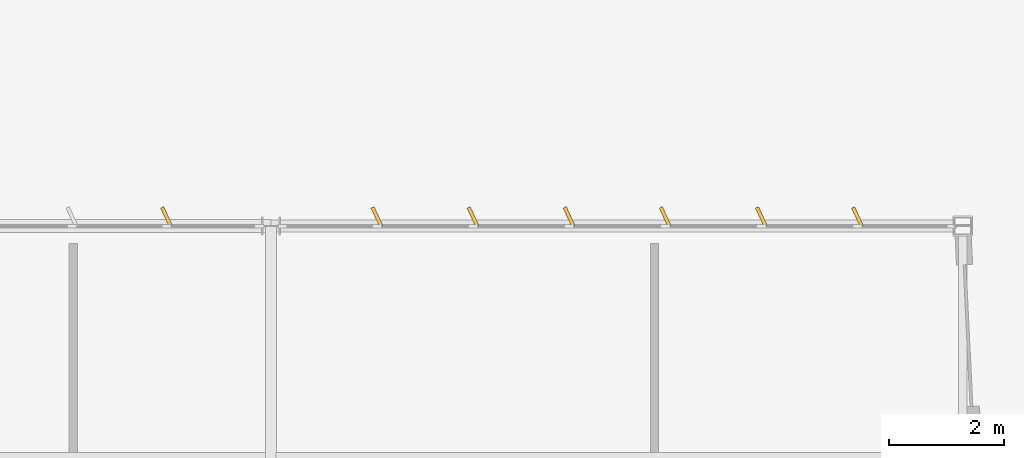
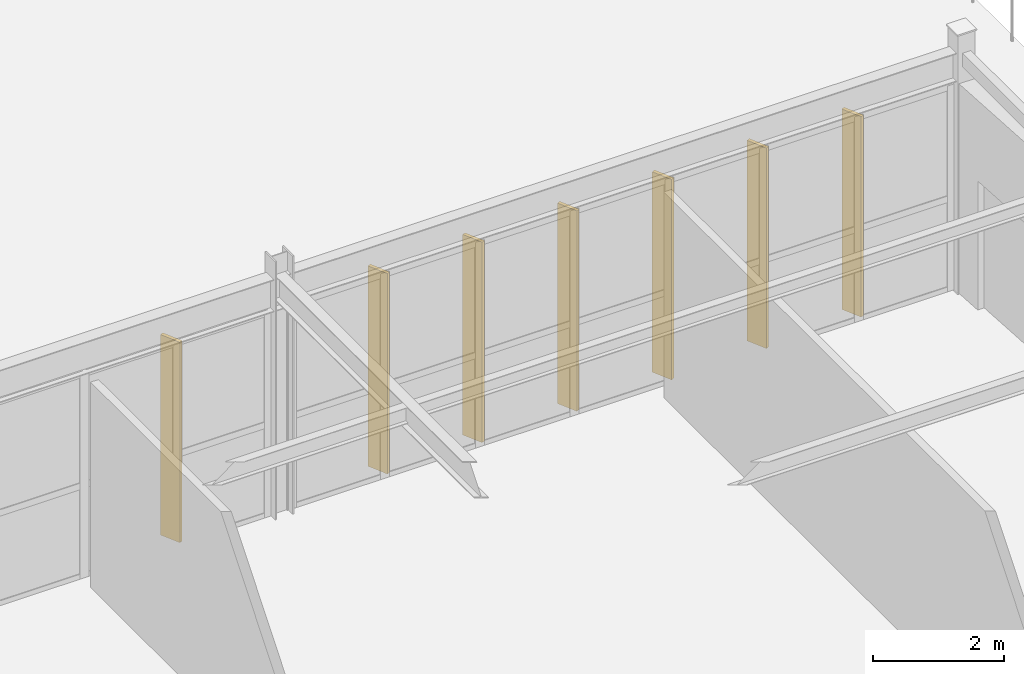
# One storey, part 191 of 199: 7 shading devices.
"""IFC4 building model written with IfcOpenShell, lengths in metres."""

from ifc_helpers import new_model, si_unit, direction, frame, origin, origin_2d, place, context, subcontext, project, spatial, rectangle, extrude, material, layer, layer_set, type_object, element, save


model = new_model("IFC4")

# Units and contexts
model_context = context("Model", 3, precision=1e-05, world=origin(), true_north=direction((0.0, 1.0)))
body_context = subcontext(model_context, "Body", "Model", "MODEL_VIEW")
ifc_project = project(units=[si_unit("LENGTHUNIT", "METRE"), si_unit("AREAUNIT", "SQUARE_METRE"), si_unit("VOLUMEUNIT", "CUBIC_METRE"), si_unit("PLANEANGLEUNIT", "RADIAN"), si_unit("MASSUNIT", "GRAM", prefix="KILO")], contexts=[model_context])

# Site, building, storey
site_placement = place(None, origin())
site = spatial("IfcSite", under=ifc_project, at=site_placement, CompositionType="ELEMENT")
building_placement = place(site_placement, origin())
building = spatial("IfcBuilding", under=site, at=building_placement, Name="Tarnwether General Hospital", CompositionType="ELEMENT")
storey_placement = place(building_placement, origin())
storey = spatial("IfcBuildingStorey", under=building, at=storey_placement, Name="L00", CompositionType="ELEMENT", Elevation=0.0)

# Shading devices
ifc_material = material(Name="Champagne-bronze anodised aluminium", Category="aluminium")
ifc_layer = layer(ifc_material, 0.06005859375)
ifc_layer_set = layer_set([ifc_layer], Name="Champagne-bronze anodised aluminium")
shading_device_type = type_object("IfcShadingDeviceType", Name="SH-FIN-BRZ", PredefinedType="USERDEFINED", material=ifc_layer_set)
for number, where, z_axis, x_axis, name in (
    (1, (178.18994140625, 45.760009765625, 0.050048828125), (0.0, 0.0, 1.0), (0.906307787037, 0.422618261741, 0.0), "Champagne-Bronze Brise-Soleil Fin 0106"),
    (2, (181.839111328125, 45.760009765625, 0.050048828125), (0.0, 0.0, 1.0), (0.906307787037, 0.422618261741, 0.0), "Champagne-Bronze Brise-Soleil Fin 0107"),
    (3, (183.506103515625, 45.760009765625, 0.050048828125), (0.0, 0.0, 1.0), (0.906307787037, 0.422618261741, 0.0), "Champagne-Bronze Brise-Soleil Fin 0108"),
    (4, (185.173095703125, 45.760009765625, 0.050048828125), (0.0, 0.0, 1.0), (0.906307787037, 0.422618261741, 0.0), "Champagne-Bronze Brise-Soleil Fin 0109"),
    (5, (186.840087890625, 45.760009765625, 0.050048828125), (0.0, 0.0, 1.0), (0.906307787037, 0.422618261741, 0.0), "Champagne-Bronze Brise-Soleil Fin 0110"),
    (6, (188.508056640625, 45.760009765625, 0.050048828125), (0.0, 0.0, 1.0), (0.906307787037, 0.422618261741, 0.0), "Champagne-Bronze Brise-Soleil Fin 0111"),
    (7, (190.175048828125, 45.760009765625, 0.050048828125), (0.0, 0.0, 1.0), (0.906307787037, 0.422618261741, 0.0), "Champagne-Bronze Brise-Soleil Fin 0112"),
):
    element("IfcShadingDevice", number, at=place(storey_placement, frame(where, z_axis=z_axis, x_axis=x_axis)), inside=storey, type_object=shading_device_type, Name=name, ObjectType="SOLAR FIN", PredefinedType="USERDEFINED", context=body_context, shape_type="SweptSolid", body=[
        extrude(rectangle(XDim=0.06005859375, YDim=0.360107421875, at=origin_2d()), origin(), (0.0, 0.0, 1.0), 3.72802734375),
    ])

save(model, "model.ifc")
